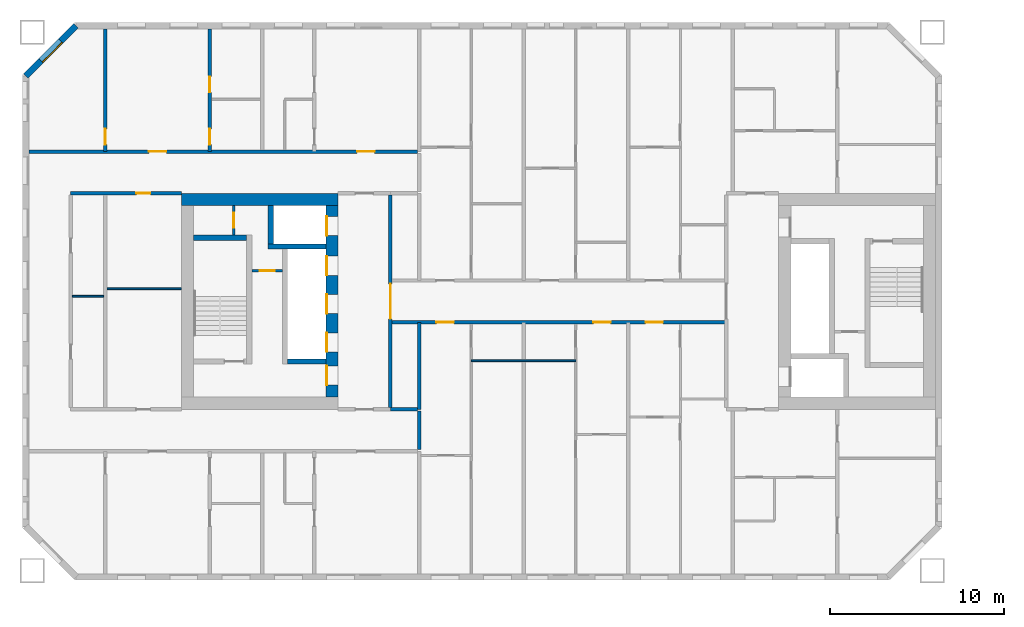
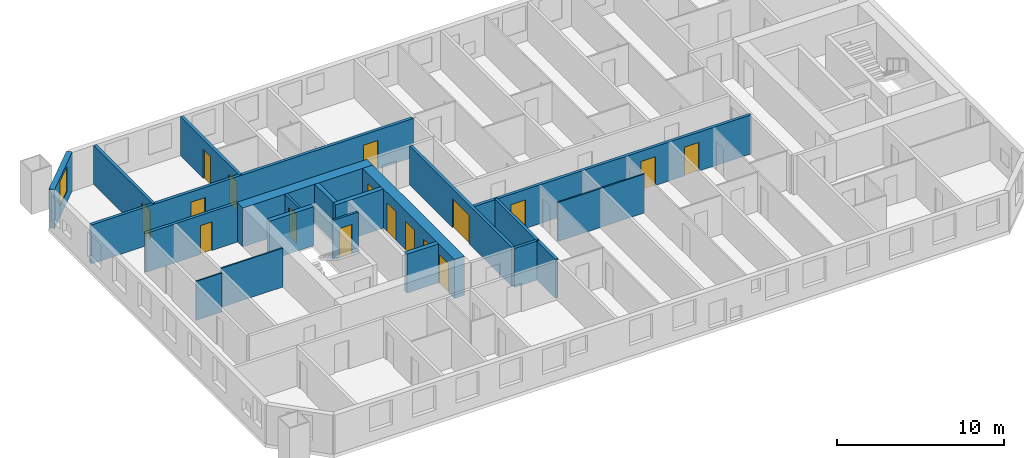
# One storey, part 4 of 17: 21 walls, 17 doors, 1 window, 18 openings.
"""IFC4 building model written with IfcOpenShell, lengths in metres."""

from ifc_helpers import new_model, si_unit, direction, frame, frame_2d, origin, place, context, subcontext, project, spatial, rectangle, extrude, material, layer, layer_set, type_object, element, fill, save


model = new_model("IFC4")

# Units and contexts
model_context = context("Model", 3, precision=1e-05, world=origin(), true_north=direction((0.0, 1.0)))
body_context = subcontext(model_context, "Body", "Model", "MODEL_VIEW")
ifc_project = project(units=[si_unit("LENGTHUNIT", "METRE"), si_unit("AREAUNIT", "SQUARE_METRE"), si_unit("VOLUMEUNIT", "CUBIC_METRE"), si_unit("PLANEANGLEUNIT", "RADIAN"), si_unit("MASSUNIT", "GRAM", prefix="KILO")], contexts=[model_context])

# Site, building, storey
site_placement = place(None, origin())
site = spatial("IfcSite", under=ifc_project, at=site_placement, CompositionType="ELEMENT")
building_placement = place(site_placement, origin())
building = spatial("IfcBuilding", under=site, at=building_placement, Name="Tuart Gate Housing", CompositionType="ELEMENT")
storey_placement = place(building_placement, frame((0.0, 0.0, 84.0)))
storey = spatial("IfcBuildingStorey", under=building, at=storey_placement, Name="L23", CompositionType="ELEMENT", Elevation=84.0)

# Wall, opening, window
ifc_material_1 = material(Name="Brick", Category="masonry")
ifc_layer_1 = layer(ifc_material_1, 0.360107421875)
ifc_layer_set_1 = layer_set([ifc_layer_1], Name="Brick pier and spandrel wall 360")
wall_type_1 = type_object("IfcWallType", Name="Brick pier and spandrel wall 360", PredefinedType="STANDARD", material=ifc_layer_set_1)
wall_1_placement = place(storey_placement, frame((26.32470703125, 85.820068359375, 0.0), z_axis=(0.0, 0.0, 1.0), x_axis=(-0.707106781187, -0.707106781187, 0.0)))
wall_1 = element("IfcWall", 1, at=wall_1_placement, inside=storey, type_object=wall_type_1, Name="External wall A-NW L23", PredefinedType="STANDARD", context=body_context, shape_type="SweptSolid", body=[
    extrude(rectangle(XDim=4.09375, YDim=0.360107421875, at=frame_2d((2.046875, 0.0))), origin(), (0.0, 0.0, 1.0), 2.85009765625),
])
opening_1_placement = place(wall_1_placement, frame((1.2470703125, 0.0, 0.800048828125)))
opening_1 = element("IfcOpeningElement", 2, at=opening_1_placement, cuts=wall_1, Name="Opening W1", PredefinedType="OPENING", context=body_context, shape_type="SweptSolid", body=[
    extrude(rectangle(XDim=1.60009765625, YDim=1.800048828125, at=frame_2d((0.800048828125, 0.89990234375))), frame((0.0, 0.18994140625, 0.0), z_axis=(0.0, -1.0, 0.0), x_axis=(1.0, 0.0, 0.0)), (0.0, 0.0, 1.0), 0.380126953125),
])
ifc_material_2 = material(Name="Aluminium frame with clear glass", Category="aluminium")
window_type = type_object("IfcWindowType", Name="Punched window 1600 x 1800", PartitioningType="SINGLE_PANEL", PredefinedType="WINDOW", material=ifc_material_2)
window_placement = place(opening_1_placement, origin())
window = element("IfcWindow", 3, at=window_placement, inside=storey, type_object=window_type, Name="Window W1", OverallHeight=1.800048828125, OverallWidth=1.60009765625, PartitioningType="SINGLE_PANEL", PredefinedType="WINDOW", context=body_context, shape_type="SweptSolid", body=[
    extrude(rectangle(XDim=1.60009765625, YDim=1.800048828125, at=frame_2d((0.800048828125, 0.89990234375))), frame((0.0, 0.150146484375, 0.0), z_axis=(0.0, -1.0, 0.0), x_axis=(1.0, 0.0, 0.0)), (0.0, 0.0, 1.0), 0.06005859375),
])
fill(opening_1, window)

# Wall, opening, door
ifc_material_3 = material(Name="Plasterboard partition")
ifc_layer_2 = layer(ifc_material_3, 0.14990234375)
ifc_layer_set_2 = layer_set([ifc_layer_2], Name="Core partition 150")
wall_type_2 = type_object("IfcWallType", Name="Core partition 150", PredefinedType="PARTITIONING", material=ifc_layer_set_2)
wall_2_placement = place(storey_placement, frame((38.159912109375, 71.75, 0.0), z_axis=(0.0, 0.0, 1.0), x_axis=(-1.0, 0.0, 0.0)))
wall_2 = element("IfcWall", 4, at=wall_2_placement, inside=storey, type_object=wall_type_2, Name="Core partition AK.3", PredefinedType="PARTITIONING", context=body_context, shape_type="SweptSolid", body=[
    extrude(rectangle(XDim=1.75, YDim=0.14990234375, at=frame_2d((0.875, 0.0))), origin(), (0.0, 0.0, 1.0), 2.85009765625),
])
opening_2_placement = place(wall_2_placement, frame((0.449951171875, 0.0, 0.0)))
opening_2 = element("IfcOpeningElement", 5, at=opening_2_placement, cuts=wall_2, Name="Opening D975", PredefinedType="OPENING", context=body_context, shape_type="SweptSolid", body=[
    extrude(rectangle(XDim=0.85009765625, YDim=2.10009765625, at=frame_2d((0.425048828125, 1.050048828125))), frame((0.0, 0.0849609375, 0.0), z_axis=(0.0, -1.0, 0.0), x_axis=(1.0, 0.0, 0.0)), (0.0, 0.0, 1.0), 0.169921875),
])
ifc_material_4 = material(Name="Steel fire door", Category="steel")
door_type_1 = type_object("IfcDoorType", Name="Riser door 850 x 2100 RH", OperationType="SINGLE_SWING_RIGHT", PredefinedType="DOOR", material=ifc_material_4)
door_1_placement = place(opening_2_placement, frame((0.85009765625, 0.0, 0.0), z_axis=(0.0, 0.0, 1.0), x_axis=(-1.0, 0.0, 0.0)))
door_1 = element("IfcDoor", 6, at=door_1_placement, inside=storey, type_object=door_type_1, Name="Service room door AK.E1", OperationType="SINGLE_SWING_RIGHT", OverallHeight=2.10009765625, OverallWidth=0.85009765625, PredefinedType="DOOR", context=body_context, shape_type="SweptSolid", body=[
    extrude(rectangle(XDim=0.85009765625, YDim=2.10009765625, at=frame_2d((0.425048828125, 1.050048828125))), frame((0.0, 0.025146484375, 0.0), z_axis=(0.0, -1.0, 0.0), x_axis=(1.0, 0.0, 0.0)), (0.0, 0.0, 1.0), 0.050048828125),
])
fill(opening_2, door_1)

wall_3_placement = place(storey_placement, frame((35.360107421875, 75.5, 0.0), z_axis=(0.0, 0.0, 1.0), x_axis=(0.0, -1.0, 0.0)))
wall_3 = element("IfcWall", 7, at=wall_3_placement, inside=storey, type_object=wall_type_2, Name="Core partition AK.9", PredefinedType="PARTITIONING", context=body_context, shape_type="SweptSolid", body=[
    extrude(rectangle(XDim=1.699951171875, YDim=0.14990234375, at=frame_2d((0.85009765625, 0.0))), origin(), (0.0, 0.0, 1.0), 2.85009765625),
])
opening_3_placement = place(wall_3_placement, frame((0.425048828125, 0.0, 0.0)))
opening_3 = element("IfcOpeningElement", 8, at=opening_3_placement, cuts=wall_3, Name="Opening D973", PredefinedType="OPENING", context=body_context, shape_type="SweptSolid", body=[
    extrude(rectangle(XDim=0.85009765625, YDim=2.10009765625, at=frame_2d((0.425048828125, 1.050048828125))), frame((0.0, 0.0849609375, 0.0), z_axis=(0.0, -1.0, 0.0), x_axis=(1.0, 0.0, 0.0)), (0.0, 0.0, 1.0), 0.169921875),
])
ifc_material_5 = material(Name="Steel fire door", Category="steel")
door_type_2 = type_object("IfcDoorType", Name="Service door 850 x 2100", OperationType="SINGLE_SWING_LEFT", PredefinedType="DOOR", material=ifc_material_5)
door_2_placement = place(opening_3_placement, origin())
door_2 = element("IfcDoor", 9, at=door_2_placement, inside=storey, type_object=door_type_2, Name="Service room door AK.E2", OperationType="SINGLE_SWING_LEFT", OverallHeight=2.10009765625, OverallWidth=0.85009765625, PredefinedType="DOOR", context=body_context, shape_type="SweptSolid", body=[
    extrude(rectangle(XDim=0.85009765625, YDim=2.10009765625, at=frame_2d((0.425048828125, 1.050048828125))), frame((0.0, 0.02490234375, 0.0), z_axis=(0.0, -1.0, 0.0), x_axis=(1.0, 0.0, 0.0)), (0.0, 0.0, 1.0), 0.050048828125),
])
fill(opening_3, door_2)

# Walls
ifc_material_6 = material(Name="Concrete C50", Category="concrete")
ifc_layer_3 = layer(ifc_material_6, 0.300048828125)
ifc_layer_set_3 = layer_set([ifc_layer_3], Name="Core wall 300 C50")
wall_type_3 = type_object("IfcWallType", Name="Core wall 300 C50", PredefinedType="SHEAR", material=ifc_layer_set_3)
wall_4_placement = place(storey_placement, frame((36.110107421875, 73.64990234375, 0.0), z_axis=(0.0, 0.0, 1.0), x_axis=(-1.0, 0.0, 0.0)))
element("IfcWall", 10, at=wall_4_placement, inside=storey, type_object=wall_type_3, Name="Core wall AK.1", PredefinedType="SHEAR", context=body_context, shape_type="SweptSolid", body=[
    extrude(rectangle(XDim=3.050048828125, YDim=0.300048828125, at=frame_2d((1.52490234375, 0.0))), origin(), (0.0, 0.0, 1.0), 2.85009765625),
])
wall_5_placement = place(storey_placement, frame((40.659912109375, 73.14990234375, 0.0), z_axis=(0.0, 0.0, 1.0), x_axis=(-1.0, 0.0, 0.0)))
element("IfcWall", 11, at=wall_5_placement, inside=storey, type_object=wall_type_3, Name="Core wall AK.2", PredefinedType="SHEAR", context=body_context, shape_type="SweptSolid", body=[
    extrude(rectangle(XDim=3.31982421875, YDim=0.300048828125, at=frame_2d((1.659912109375, 0.0))), origin(), (0.0, 0.0, 1.0), 2.85009765625),
])
for number, where, z_axis, x_axis, name in (
    (12, (40.659912109375, 66.550048828125, 0.0), (0.0, 0.0, 1.0), (-1.0, 0.0, 0.0), "Core wall AK.4"),
    (13, (37.489990234375, 75.5, 0.0), (0.0, 0.0, 1.0), (0.0, -1.0, 0.0), "Core wall AK.7"),
):
    element("IfcWall", number, at=place(storey_placement, frame(where, z_axis=z_axis, x_axis=x_axis)), inside=storey, type_object=wall_type_3, Name=name, PredefinedType="SHEAR", context=body_context, shape_type="SweptSolid", body=[
        extrude(rectangle(XDim=2.199951171875, YDim=0.300048828125, at=frame_2d((1.10009765625, 0.0))), origin(), (0.0, 0.0, 1.0), 2.85009765625),
    ])

# Wall, openings, doors
ifc_material_7 = material(Name="Concrete C50", Category="concrete")
ifc_layer_4 = layer(ifc_material_7, 0.699951171875)
ifc_layer_set_4 = layer_set([ifc_layer_4], Name="Core wall 700 C50")
wall_type_4 = type_object("IfcWallType", Name="Core wall 700 C50", PredefinedType="SHEAR", material=ifc_layer_set_4)
wall_6_placement = place(storey_placement, frame((41.010009765625, 75.5, 0.0), z_axis=(0.0, 0.0, 1.0), x_axis=(0.0, -1.0, 0.0)))
wall_6 = element("IfcWall", 14, at=wall_6_placement, inside=storey, type_object=wall_type_4, Name="Core wall AK front", PredefinedType="SHEAR", context=body_context, shape_type="SweptSolid", body=[
    extrude(rectangle(XDim=11.0, YDim=0.699951171875, at=frame_2d((5.5, 0.0))), origin(), (0.0, 0.0, 1.0), 2.85009765625),
])
opening_4_placement = place(wall_6_placement, frame((0.625, 0.0, 0.0)))
opening_4 = element("IfcOpeningElement", 15, at=opening_4_placement, cuts=wall_6, Name="Opening LD-FA2", PredefinedType="OPENING", context=body_context, shape_type="SweptSolid", body=[
    extrude(rectangle(XDim=1.10009765625, YDim=2.10009765625, at=frame_2d((0.550048828125, 1.050048828125))), frame((0.0, 0.35986328125, 0.0), z_axis=(0.0, -1.0, 0.0), x_axis=(1.0, 0.0, 0.0)), (0.0, 0.0, 1.0), 0.719970703125),
])
opening_5_placement = place(wall_6_placement, frame((2.89990234375, 0.0, 0.0)))
opening_5 = element("IfcOpeningElement", 16, at=opening_5_placement, cuts=wall_6, Name="Opening LD-LA4", PredefinedType="OPENING", context=body_context, shape_type="SweptSolid", body=[
    extrude(rectangle(XDim=1.10009765625, YDim=2.10009765625, at=frame_2d((0.550048828125, 1.050048828125))), frame((0.0, 0.35986328125, 0.0), z_axis=(0.0, -1.0, 0.0), x_axis=(1.0, 0.0, 0.0)), (0.0, 0.0, 1.0), 0.719970703125),
])
opening_6_placement = place(wall_6_placement, frame((5.10009765625, 0.0, 0.0)))
opening_6 = element("IfcOpeningElement", 17, at=opening_6_placement, cuts=wall_6, Name="Opening LD-LA5", PredefinedType="OPENING", context=body_context, shape_type="SweptSolid", body=[
    extrude(rectangle(XDim=1.10009765625, YDim=2.10009765625, at=frame_2d((0.550048828125, 1.050048828125))), frame((0.0, 0.35986328125, 0.0), z_axis=(0.0, -1.0, 0.0), x_axis=(1.0, 0.0, 0.0)), (0.0, 0.0, 1.0), 0.719970703125),
])
opening_7_placement = place(wall_6_placement, frame((7.300048828125, 0.0, 0.0)))
opening_7 = element("IfcOpeningElement", 18, at=opening_7_placement, cuts=wall_6, Name="Opening LD-LA6", PredefinedType="OPENING", context=body_context, shape_type="SweptSolid", body=[
    extrude(rectangle(XDim=1.10009765625, YDim=2.10009765625, at=frame_2d((0.550048828125, 1.050048828125))), frame((0.0, 0.35986328125, 0.0), z_axis=(0.0, -1.0, 0.0), x_axis=(1.0, 0.0, 0.0)), (0.0, 0.0, 1.0), 0.719970703125),
])
opening_8_placement = place(wall_6_placement, frame((9.199951171875, 0.0, 0.0)))
opening_8 = element("IfcOpeningElement", 19, at=opening_8_placement, cuts=wall_6, Name="Opening D981", PredefinedType="OPENING", context=body_context, shape_type="SweptSolid", body=[
    extrude(rectangle(XDim=1.10009765625, YDim=2.10009765625, at=frame_2d((0.550048828125, 1.050048828125))), frame((0.0, 0.35986328125, 0.0), z_axis=(0.0, -1.0, 0.0), x_axis=(1.0, 0.0, 0.0)), (0.0, 0.0, 1.0), 0.719970703125),
])
ifc_material_8 = material(Name="Stainless steel", Category="steel")
door_type_3 = type_object("IfcDoorType", Name="Landing door 1100 x 2100", OperationType="DOUBLE_DOOR_SLIDING", PredefinedType="DOOR", material=ifc_material_8)
door_3_placement = place(opening_4_placement, origin())
door_3 = element("IfcDoor", 20, at=door_3_placement, inside=storey, type_object=door_type_3, Name="Lift landing door FA2", OperationType="DOUBLE_DOOR_SLIDING", OverallHeight=2.10009765625, OverallWidth=1.10009765625, PredefinedType="DOOR", context=body_context, shape_type="SweptSolid", body=[
    extrude(rectangle(XDim=1.10009765625, YDim=2.10009765625, at=frame_2d((0.550048828125, 1.050048828125))), frame((0.0, -0.28515625, 0.0), z_axis=(0.0, -1.0, 0.0), x_axis=(1.0, 0.0, 0.0)), (0.0, 0.0, 1.0), 0.050048828125),
])
fill(opening_4, door_3)
door_4_placement = place(opening_5_placement, origin())
door_4 = element("IfcDoor", 21, at=door_4_placement, inside=storey, type_object=door_type_3, Name="Lift landing door LA4", OperationType="DOUBLE_DOOR_SLIDING", OverallHeight=2.10009765625, OverallWidth=1.10009765625, PredefinedType="DOOR", context=body_context, shape_type="SweptSolid", body=[
    extrude(rectangle(XDim=1.10009765625, YDim=2.10009765625, at=frame_2d((0.550048828125, 1.050048828125))), frame((0.0, -0.28515625, 0.0), z_axis=(0.0, -1.0, 0.0), x_axis=(1.0, 0.0, 0.0)), (0.0, 0.0, 1.0), 0.050048828125),
])
fill(opening_5, door_4)
door_5_placement = place(opening_6_placement, origin())
door_5 = element("IfcDoor", 22, at=door_5_placement, inside=storey, type_object=door_type_3, Name="Lift landing door LA5", OperationType="DOUBLE_DOOR_SLIDING", OverallHeight=2.10009765625, OverallWidth=1.10009765625, PredefinedType="DOOR", context=body_context, shape_type="SweptSolid", body=[
    extrude(rectangle(XDim=1.10009765625, YDim=2.10009765625, at=frame_2d((0.550048828125, 1.050048828125))), frame((0.0, -0.28515625, 0.0), z_axis=(0.0, -1.0, 0.0), x_axis=(1.0, 0.0, 0.0)), (0.0, 0.0, 1.0), 0.050048828125),
])
fill(opening_6, door_5)
door_6_placement = place(opening_7_placement, origin())
door_6 = element("IfcDoor", 23, at=door_6_placement, inside=storey, type_object=door_type_3, Name="Lift landing door LA6", OperationType="DOUBLE_DOOR_SLIDING", OverallHeight=2.10009765625, OverallWidth=1.10009765625, PredefinedType="DOOR", context=body_context, shape_type="SweptSolid", body=[
    extrude(rectangle(XDim=1.10009765625, YDim=2.10009765625, at=frame_2d((0.550048828125, 1.050048828125))), frame((0.0, -0.28515625, 0.0), z_axis=(0.0, -1.0, 0.0), x_axis=(1.0, 0.0, 0.0)), (0.0, 0.0, 1.0), 0.050048828125),
])
fill(opening_7, door_6)
ifc_material_9 = material(Name="Steel fire door", Category="steel")
door_type_4 = type_object("IfcDoorType", Name="Lobby door 1100 x 2100 RH", OperationType="SINGLE_SWING_RIGHT", PredefinedType="DOOR", material=ifc_material_9)
door_7_placement = place(opening_8_placement, frame((1.10009765625, 0.0, 0.0), z_axis=(0.0, 0.0, 1.0), x_axis=(-1.0, 0.0, 0.0)))
door_7 = element("IfcDoor", 24, at=door_7_placement, inside=storey, type_object=door_type_4, Name="Lobby entry door AK.EN", OperationType="SINGLE_SWING_RIGHT", OverallHeight=2.10009765625, OverallWidth=1.10009765625, PredefinedType="DOOR", context=body_context, shape_type="SweptSolid", body=[
    extrude(rectangle(XDim=1.10009765625, YDim=2.10009765625, at=frame_2d((0.550048828125, 1.050048828125))), frame((0.0, 0.335205078125, 0.0), z_axis=(0.0, -1.0, 0.0), x_axis=(1.0, 0.0, 0.0)), (0.0, 0.0, 1.0), 0.050048828125),
])
fill(opening_8, door_7)

# Walls
wall_7_placement = place(storey_placement, frame((41.360107421875, 75.85009765625, 0.0), z_axis=(0.0, 0.0, 1.0), x_axis=(-1.0, 0.0, 0.0)))
element("IfcWall", 25, at=wall_7_placement, inside=storey, type_object=wall_type_4, Name="Core wall AK south", PredefinedType="SHEAR", context=body_context, shape_type="SweptSolid", body=[
    extrude(rectangle(XDim=9.0, YDim=0.699951171875, at=frame_2d((4.5, 0.0))), origin(), (0.0, 0.0, 1.0), 2.85009765625),
])
ifc_material_10 = material(Name="Concrete masonry 15 MPa", Category="masonry")
ifc_layer_5 = layer(ifc_material_10, 0.199951171875)
ifc_layer_set_5 = layer_set([ifc_layer_5], Name="Corridor wall masonry 200")
wall_type_5 = type_object("IfcWallType", Name="Corridor wall masonry 200", PredefinedType="PARTITIONING", material=ifc_layer_set_5)
wall_8_placement = place(storey_placement, frame((44.360107421875, 63.800048828125, 0.0), z_axis=(0.0, 0.0, 1.0), x_axis=(1.0, 0.0, 0.0)))
element("IfcWall", 26, at=wall_8_placement, inside=storey, type_object=wall_type_5, Name="Corridor wall masonry 200", PredefinedType="PARTITIONING", context=body_context, shape_type="SweptSolid", body=[
    extrude(rectangle(XDim=1.539794921875, YDim=0.199951171875, at=frame_2d((0.77001953125, 0.0))), origin(), (0.0, 0.0, 1.0), 2.85009765625),
])

# Wall, openings, doors
wall_9_placement = place(storey_placement, frame((44.360107421875, 68.800048828125, 0.0), z_axis=(0.0, 0.0, 1.0), x_axis=(1.0, 0.0, 0.0)))
wall_9 = element("IfcWall", 27, at=wall_9_placement, inside=storey, type_object=wall_type_5, Name="Corridor wall masonry 200", PredefinedType="PARTITIONING", context=body_context, shape_type="SweptSolid", body=[
    extrude(rectangle(XDim=19.27978515625, YDim=0.199951171875, at=frame_2d((9.639892578125, 0.0))), origin(), (0.0, 0.0, 1.0), 2.85009765625),
])
opening_9_placement = place(wall_9_placement, frame((14.639892578125, 0.0, 0.0)))
opening_9 = element("IfcOpeningElement", 28, at=opening_9_placement, cuts=wall_9, Name="Opening D985", PredefinedType="OPENING", context=body_context, shape_type="SweptSolid", body=[
    extrude(rectangle(XDim=1.0, YDim=2.10009765625, at=frame_2d((0.5, 1.050048828125))), frame((0.0, 0.10986328125, 0.0), z_axis=(0.0, -1.0, 0.0), x_axis=(1.0, 0.0, 0.0)), (0.0, 0.0, 1.0), 0.219970703125),
])
opening_10_placement = place(wall_9_placement, frame((11.639892578125, 0.0, 0.0)))
opening_10 = element("IfcOpeningElement", 29, at=opening_10_placement, cuts=wall_9, Name="Opening D986", PredefinedType="OPENING", context=body_context, shape_type="SweptSolid", body=[
    extrude(rectangle(XDim=1.0, YDim=2.10009765625, at=frame_2d((0.5, 1.050048828125))), frame((0.0, 0.10986328125, 0.0), z_axis=(0.0, -1.0, 0.0), x_axis=(1.0, 0.0, 0.0)), (0.0, 0.0, 1.0), 0.219970703125),
])
opening_11_placement = place(wall_9_placement, frame((2.639892578125, 0.0, 0.0)))
opening_11 = element("IfcOpeningElement", 30, at=opening_11_placement, cuts=wall_9, Name="Opening D987", PredefinedType="OPENING", context=body_context, shape_type="SweptSolid", body=[
    extrude(rectangle(XDim=1.0, YDim=2.10009765625, at=frame_2d((0.5, 1.050048828125))), frame((0.0, 0.10986328125, 0.0), z_axis=(0.0, -1.0, 0.0), x_axis=(1.0, 0.0, 0.0)), (0.0, 0.0, 1.0), 0.219970703125),
])
ifc_material_11 = material(Name="Timber door leaf in steel frame", Category="steel")
door_type_5 = type_object("IfcDoorType", Name="Flat entrance door 1000 RH", OperationType="SINGLE_SWING_RIGHT", PredefinedType="DOOR", material=ifc_material_11)
door_8_placement = place(opening_9_placement, frame((1.0, 0.0, 0.0), z_axis=(0.0, 0.0, 1.0), x_axis=(-1.0, 0.0, 0.0)))
door_8 = element("IfcDoor", 31, at=door_8_placement, inside=storey, type_object=door_type_5, Name="Flat entrance door", OperationType="SINGLE_SWING_RIGHT", OverallHeight=2.10009765625, OverallWidth=1.0, PredefinedType="DOOR", context=body_context, shape_type="SweptSolid", body=[
    extrude(rectangle(XDim=1.0, YDim=2.10009765625, at=frame_2d((0.5, 1.050048828125))), frame((0.0, 0.025146484375, 0.0), z_axis=(0.0, -1.0, 0.0), x_axis=(1.0, 0.0, 0.0)), (0.0, 0.0, 1.0), 0.050048828125),
])
fill(opening_9, door_8)
door_9_placement = place(opening_10_placement, frame((1.0, 0.0, 0.0), z_axis=(0.0, 0.0, 1.0), x_axis=(-1.0, 0.0, 0.0)))
door_9 = element("IfcDoor", 32, at=door_9_placement, inside=storey, type_object=door_type_5, Name="Flat entrance door", OperationType="SINGLE_SWING_RIGHT", OverallHeight=2.10009765625, OverallWidth=1.0, PredefinedType="DOOR", context=body_context, shape_type="SweptSolid", body=[
    extrude(rectangle(XDim=1.0, YDim=2.10009765625, at=frame_2d((0.5, 1.050048828125))), frame((0.0, 0.025146484375, 0.0), z_axis=(0.0, -1.0, 0.0), x_axis=(1.0, 0.0, 0.0)), (0.0, 0.0, 1.0), 0.050048828125),
])
fill(opening_10, door_9)
door_10_placement = place(opening_11_placement, frame((1.0, 0.0, 0.0), z_axis=(0.0, 0.0, 1.0), x_axis=(-1.0, 0.0, 0.0)))
door_10 = element("IfcDoor", 33, at=door_10_placement, inside=storey, type_object=door_type_5, Name="Flat entrance door", OperationType="SINGLE_SWING_RIGHT", OverallHeight=2.10009765625, OverallWidth=1.0, PredefinedType="DOOR", context=body_context, shape_type="SweptSolid", body=[
    extrude(rectangle(XDim=1.0, YDim=2.10009765625, at=frame_2d((0.5, 1.050048828125))), frame((0.0, 0.025146484375, 0.0), z_axis=(0.0, -1.0, 0.0), x_axis=(1.0, 0.0, 0.0)), (0.0, 0.0, 1.0), 0.050048828125),
])
fill(opening_11, door_10)

# Wall, opening, door
wall_10_placement = place(storey_placement, frame((26.010009765625, 76.199951171875, 0.0), z_axis=(0.0, 0.0, 1.0), x_axis=(1.0, 0.0, 0.0)))
wall_10 = element("IfcWall", 34, at=wall_10_placement, inside=storey, type_object=wall_type_5, Name="Corridor wall masonry 200", PredefinedType="PARTITIONING", context=body_context, shape_type="SweptSolid", body=[
    extrude(rectangle(XDim=6.35009765625, YDim=0.199951171875, at=frame_2d((3.175048828125, 0.0))), origin(), (0.0, 0.0, 1.0), 2.85009765625),
])
opening_12_placement = place(wall_10_placement, frame((3.77001953125, 0.0, 0.0)))
opening_12 = element("IfcOpeningElement", 35, at=opening_12_placement, cuts=wall_10, Name="Opening D970", PredefinedType="OPENING", context=body_context, shape_type="SweptSolid", body=[
    extrude(rectangle(XDim=0.800048828125, YDim=2.10009765625, at=frame_2d((0.39990234375, 1.050048828125))), frame((0.0, 0.10986328125, 0.0), z_axis=(0.0, -1.0, 0.0), x_axis=(1.0, 0.0, 0.0)), (0.0, 0.0, 1.0), 0.219970703125),
])
ifc_material_12 = material(Name="Timber door leaf in steel frame", Category="steel")
door_type_6 = type_object("IfcDoorType", Name="Store door 800 RH", OperationType="SINGLE_SWING_RIGHT", PredefinedType="DOOR", material=ifc_material_12)
door_11_placement = place(opening_12_placement, frame((0.800048828125, 0.0, 0.0), z_axis=(0.0, 0.0, 1.0), x_axis=(-1.0, 0.0, 0.0)))
door_11 = element("IfcDoor", 36, at=door_11_placement, inside=storey, type_object=door_type_6, Name="Store door", OperationType="SINGLE_SWING_RIGHT", OverallHeight=2.10009765625, OverallWidth=0.800048828125, PredefinedType="DOOR", context=body_context, shape_type="SweptSolid", body=[
    extrude(rectangle(XDim=0.800048828125, YDim=2.10009765625, at=frame_2d((0.400146484375, 1.050048828125))), frame((0.0, 0.025146484375, 0.0), z_axis=(0.0, -1.0, 0.0), x_axis=(1.0, 0.0, 0.0)), (0.0, 0.0, 1.0), 0.050048828125),
])
fill(opening_12, door_11)

# Wall, openings, doors
wall_11_placement = place(storey_placement, frame((23.610107421875, 78.60009765625, 0.0), z_axis=(0.0, 0.0, 1.0), x_axis=(1.0, 0.0, 0.0)))
wall_11 = element("IfcWall", 37, at=wall_11_placement, inside=storey, type_object=wall_type_5, Name="Corridor wall masonry 200", PredefinedType="PARTITIONING", context=body_context, shape_type="SweptSolid", body=[
    extrude(rectangle(XDim=22.289794921875, YDim=0.199951171875, at=frame_2d((11.14501953125, 0.0))), origin(), (0.0, 0.0, 1.0), 2.85009765625),
])
opening_13_placement = place(wall_11_placement, frame((18.840087890625, 0.0, 0.0)))
opening_13 = element("IfcOpeningElement", 38, at=opening_13_placement, cuts=wall_11, Name="Opening D961", PredefinedType="OPENING", context=body_context, shape_type="SweptSolid", body=[
    extrude(rectangle(XDim=1.0, YDim=2.10009765625, at=frame_2d((0.5, 1.050048828125))), frame((0.0, 0.10986328125, 0.0), z_axis=(0.0, -1.0, 0.0), x_axis=(1.0, 0.0, 0.0)), (0.0, 0.0, 1.0), 0.219970703125),
])
opening_14_placement = place(wall_11_placement, frame((6.889892578125, 0.0, 0.0)))
opening_14 = element("IfcOpeningElement", 39, at=opening_14_placement, cuts=wall_11, Name="Opening D962", PredefinedType="OPENING", context=body_context, shape_type="SweptSolid", body=[
    extrude(rectangle(XDim=1.0, YDim=2.10009765625, at=frame_2d((0.5, 1.050048828125))), frame((0.0, 0.10986328125, 0.0), z_axis=(0.0, -1.0, 0.0), x_axis=(1.0, 0.0, 0.0)), (0.0, 0.0, 1.0), 0.219970703125),
])
ifc_material_13 = material(Name="Timber door leaf in steel frame", Category="steel")
door_type_7 = type_object("IfcDoorType", Name="Flat entrance door 1000", OperationType="SINGLE_SWING_LEFT", PredefinedType="DOOR", material=ifc_material_13)
door_12_placement = place(opening_13_placement, origin())
door_12 = element("IfcDoor", 40, at=door_12_placement, inside=storey, type_object=door_type_7, Name="Flat entrance door", OperationType="SINGLE_SWING_LEFT", OverallHeight=2.10009765625, OverallWidth=1.0, PredefinedType="DOOR", context=body_context, shape_type="SweptSolid", body=[
    extrude(rectangle(XDim=1.0, YDim=2.10009765625, at=frame_2d((0.5, 1.050048828125))), frame((0.0, 0.02490234375, 0.0), z_axis=(0.0, -1.0, 0.0), x_axis=(1.0, 0.0, 0.0)), (0.0, 0.0, 1.0), 0.050048828125),
])
fill(opening_13, door_12)
door_13_placement = place(opening_14_placement, origin())
door_13 = element("IfcDoor", 41, at=door_13_placement, inside=storey, type_object=door_type_7, Name="Flat entrance door", OperationType="SINGLE_SWING_LEFT", OverallHeight=2.10009765625, OverallWidth=1.0, PredefinedType="DOOR", context=body_context, shape_type="SweptSolid", body=[
    extrude(rectangle(XDim=1.0, YDim=2.10009765625, at=frame_2d((0.5, 1.050048828125))), frame((0.0, 0.02490234375, 0.0), z_axis=(0.0, -1.0, 0.0), x_axis=(1.0, 0.0, 0.0)), (0.0, 0.0, 1.0), 0.050048828125),
])
fill(opening_14, door_13)

# Wall
wall_12_placement = place(storey_placement, frame((46.0, 61.5, 0.0), z_axis=(0.0, 0.0, 1.0), x_axis=(0.0, 1.0, 0.0)))
element("IfcWall", 42, at=wall_12_placement, inside=storey, type_object=wall_type_5, Name="Corridor wall masonry 200", PredefinedType="PARTITIONING", context=body_context, shape_type="SweptSolid", body=[
    extrude(rectangle(XDim=2.199951171875, YDim=0.199951171875, at=frame_2d((1.10009765625, 0.0))), origin(), (0.0, 0.0, 1.0), 2.85009765625),
])

# Wall, opening, door
ifc_material_14 = material(Name="Plasterboard partition")
ifc_layer_6 = layer(ifc_material_14, 0.199951171875)
ifc_layer_set_6 = layer_set([ifc_layer_6], Name="Lobby wall 200")
wall_type_6 = type_object("IfcWallType", Name="Lobby wall 200", PredefinedType="PARTITIONING", material=ifc_layer_set_6)
wall_13_placement = place(storey_placement, frame((44.360107421875, 63.89990234375, 0.0), z_axis=(0.0, 0.0, 1.0), x_axis=(0.0, 1.0, 0.0)))
wall_13 = element("IfcWall", 43, at=wall_13_placement, inside=storey, type_object=wall_type_6, Name="Lift lobby wall AK", PredefinedType="PARTITIONING", context=body_context, shape_type="SweptSolid", body=[
    extrude(rectangle(XDim=12.2001953125, YDim=0.199951171875, at=frame_2d((6.10009765625, 0.0))), origin(), (0.0, 0.0, 1.0), 2.85009765625),
])
opening_15_placement = place(wall_13_placement, frame((5.10009765625, 0.0, 0.0)))
opening_15 = element("IfcOpeningElement", 44, at=opening_15_placement, cuts=wall_13, Name="Opening D982", PredefinedType="OPENING", context=body_context, shape_type="SweptSolid", body=[
    extrude(rectangle(XDim=2.0, YDim=2.10009765625, at=frame_2d((1.0, 1.050048828125))), frame((0.0, 0.10986328125, 0.0), z_axis=(0.0, -1.0, 0.0), x_axis=(1.0, 0.0, 0.0)), (0.0, 0.0, 1.0), 0.219970703125),
])
ifc_material_15 = material(Name="Steel fire door", Category="steel")
door_type_8 = type_object("IfcDoorType", Name="Smoke door 2000 x 2100", OperationType="DOUBLE_DOOR_SINGLE_SWING", PredefinedType="DOOR", material=ifc_material_15)
door_14_placement = place(opening_15_placement, origin())
door_14 = element("IfcDoor", 45, at=door_14_placement, inside=storey, type_object=door_type_8, Name="Lift lobby smoke door AK", OperationType="DOUBLE_DOOR_SINGLE_SWING", OverallHeight=2.10009765625, OverallWidth=2.0, PredefinedType="DOOR", context=body_context, shape_type="SweptSolid", body=[
    extrude(rectangle(XDim=2.0, YDim=2.10009765625, at=frame_2d((1.0, 1.050048828125))), frame((0.0, 0.02490234375, 0.0), z_axis=(0.0, -1.0, 0.0), x_axis=(1.0, 0.0, 0.0)), (0.0, 0.0, 1.0), 0.050048828125),
])
fill(opening_15, door_14)

# Walls
ifc_material_16 = material(Name="Gypsum board on steel studs", Category="steel")
ifc_layer_7 = layer(ifc_material_16, 0.10009765625)
ifc_layer_set_7 = layer_set([ifc_layer_7], Name="Partition 100")
wall_type_7 = type_object("IfcWallType", Name="Partition 100", PredefinedType="PARTITIONING", material=ifc_layer_set_7)
wall_14_placement = place(storey_placement, frame((49.0, 66.60009765625, 0.0), z_axis=(0.0, 0.0, 1.0), x_axis=(1.0, 0.0, 0.0)))
element("IfcWall", 46, at=wall_14_placement, inside=storey, type_object=wall_type_7, Name="Partition 100", PredefinedType="PARTITIONING", context=body_context, shape_type="SweptSolid", body=[
    extrude(rectangle(XDim=6.0, YDim=0.10009765625, at=frame_2d((3.0, 0.0))), origin(), (0.0, 0.0, 1.0), 2.85009765625),
])
wall_15_placement = place(storey_placement, frame((26.110107421875, 70.300048828125, 0.0), z_axis=(0.0, 0.0, 1.0), x_axis=(1.0, 0.0, 0.0)))
element("IfcWall", 47, at=wall_15_placement, inside=storey, type_object=wall_type_7, Name="Partition 100", PredefinedType="PARTITIONING", context=body_context, shape_type="SweptSolid", body=[
    extrude(rectangle(XDim=1.789794921875, YDim=0.10009765625, at=frame_2d((0.89501953125, 0.0))), origin(), (0.0, 0.0, 1.0), 2.85009765625),
])
wall_16_placement = place(storey_placement, frame((28.10009765625, 70.72998046875, 0.0), z_axis=(0.0, 0.0, 1.0), x_axis=(1.0, 0.0, 0.0)))
element("IfcWall", 48, at=wall_16_placement, inside=storey, type_object=wall_type_7, Name="Partition 100", PredefinedType="PARTITIONING", context=body_context, shape_type="SweptSolid", body=[
    extrude(rectangle(XDim=4.260009765625, YDim=0.10009765625, at=frame_2d((2.1298828125, 0.0))), origin(), (0.0, 0.0, 1.0), 2.85009765625),
])

# Wall, opening, door
ifc_material_17 = material(Name="Concrete C40", Category="concrete")
ifc_layer_8 = layer(ifc_material_17, 0.199951171875)
ifc_layer_set_8 = layer_set([ifc_layer_8], Name="Party wall concrete C40 200")
wall_type_8 = type_object("IfcWallType", Name="Party wall concrete C40 200", PredefinedType="SOLIDWALL", material=ifc_layer_set_8)
wall_17_placement = place(storey_placement, frame((28.0, 78.60009765625, 0.0), z_axis=(0.0, 0.0, 1.0), x_axis=(0.0, 1.0, 0.0)))
wall_17 = element("IfcWall", 49, at=wall_17_placement, inside=storey, type_object=wall_type_8, Name="Party wall concrete C40 200", PredefinedType="SOLIDWALL", context=body_context, shape_type="SweptSolid", body=[
    extrude(rectangle(XDim=7.039794921875, YDim=0.199951171875, at=frame_2d((3.52001953125, 0.0))), origin(), (0.0, 0.0, 1.0), 2.85009765625),
])
opening_16_placement = place(wall_17_placement, frame((0.39990234375, 0.0, 0.0)))
opening_16 = element("IfcOpeningElement", 50, at=opening_16_placement, cuts=wall_17, Name="Opening D950", PredefinedType="OPENING", context=body_context, shape_type="SweptSolid", body=[
    extrude(rectangle(XDim=0.89990234375, YDim=2.10009765625, at=frame_2d((0.449951171875, 1.050048828125))), frame((0.0, 0.10986328125, 0.0), z_axis=(0.0, -1.0, 0.0), x_axis=(1.0, 0.0, 0.0)), (0.0, 0.0, 1.0), 0.219970703125),
])
ifc_material_18 = material(Name="Timber door leaf in steel frame", Category="steel")
door_type_9 = type_object("IfcDoorType", Name="Internal door 900", OperationType="SINGLE_SWING_LEFT", PredefinedType="DOOR", material=ifc_material_18)
door_15_placement = place(opening_16_placement, origin())
door_15 = element("IfcDoor", 51, at=door_15_placement, inside=storey, type_object=door_type_9, Name="Internal door", OperationType="SINGLE_SWING_LEFT", OverallHeight=2.10009765625, OverallWidth=0.89990234375, PredefinedType="DOOR", context=body_context, shape_type="SweptSolid", body=[
    extrude(rectangle(XDim=0.89990234375, YDim=2.10009765625, at=frame_2d((0.449951171875, 1.050048828125))), frame((0.0, 0.02490234375, 0.0), z_axis=(0.0, -1.0, 0.0), x_axis=(1.0, 0.0, 0.0)), (0.0, 0.0, 1.0), 0.050048828125),
])
fill(opening_16, door_15)

# Wall, openings, doors
wall_18_placement = place(storey_placement, frame((34.0, 78.60009765625, 0.0), z_axis=(0.0, 0.0, 1.0), x_axis=(0.0, 1.0, 0.0)))
wall_18 = element("IfcWall", 52, at=wall_18_placement, inside=storey, type_object=wall_type_8, Name="Party wall concrete C40 200", PredefinedType="SOLIDWALL", context=body_context, shape_type="SweptSolid", body=[
    extrude(rectangle(XDim=7.039794921875, YDim=0.199951171875, at=frame_2d((3.52001953125, 0.0))), origin(), (0.0, 0.0, 1.0), 2.85009765625),
])
opening_17_placement = place(wall_18_placement, frame((3.39990234375, 0.0, 0.0)))
opening_17 = element("IfcOpeningElement", 53, at=opening_17_placement, cuts=wall_18, Name="Opening D952", PredefinedType="OPENING", context=body_context, shape_type="SweptSolid", body=[
    extrude(rectangle(XDim=0.89990234375, YDim=2.10009765625, at=frame_2d((0.449951171875, 1.050048828125))), frame((0.0, 0.10986328125, 0.0), z_axis=(0.0, -1.0, 0.0), x_axis=(1.0, 0.0, 0.0)), (0.0, 0.0, 1.0), 0.219970703125),
])
opening_18_placement = place(wall_18_placement, frame((0.39990234375, 0.0, 0.0)))
opening_18 = element("IfcOpeningElement", 54, at=opening_18_placement, cuts=wall_18, Name="Opening D951", PredefinedType="OPENING", context=body_context, shape_type="SweptSolid", body=[
    extrude(rectangle(XDim=0.89990234375, YDim=2.10009765625, at=frame_2d((0.449951171875, 1.050048828125))), frame((0.0, 0.10986328125, 0.0), z_axis=(0.0, -1.0, 0.0), x_axis=(1.0, 0.0, 0.0)), (0.0, 0.0, 1.0), 0.219970703125),
])
ifc_material_19 = material(Name="Timber door leaf in steel frame", Category="steel")
door_type_10 = type_object("IfcDoorType", Name="Bathroom door 900 RH", OperationType="SINGLE_SWING_RIGHT", PredefinedType="DOOR", material=ifc_material_19)
door_16_placement = place(opening_18_placement, frame((0.89990234375, 0.0, 0.0), z_axis=(0.0, 0.0, 1.0), x_axis=(-1.0, 0.0, 0.0)))
door_16 = element("IfcDoor", 55, at=door_16_placement, inside=storey, type_object=door_type_10, Name="Bathroom door", OperationType="SINGLE_SWING_RIGHT", OverallHeight=2.10009765625, OverallWidth=0.89990234375, PredefinedType="DOOR", context=body_context, shape_type="SweptSolid", body=[
    extrude(rectangle(XDim=0.89990234375, YDim=2.10009765625, at=frame_2d((0.449951171875, 1.050048828125))), frame((0.0, 0.025146484375, 0.0), z_axis=(0.0, -1.0, 0.0), x_axis=(1.0, 0.0, 0.0)), (0.0, 0.0, 1.0), 0.050048828125),
])
fill(opening_18, door_16)
ifc_material_20 = material(Name="Timber door leaf in steel frame", Category="steel")
door_type_11 = type_object("IfcDoorType", Name="Internal door 900 RH", OperationType="SINGLE_SWING_RIGHT", PredefinedType="DOOR", material=ifc_material_20)
door_17_placement = place(opening_17_placement, frame((0.89990234375, 0.0, 0.0), z_axis=(0.0, 0.0, 1.0), x_axis=(-1.0, 0.0, 0.0)))
door_17 = element("IfcDoor", 56, at=door_17_placement, inside=storey, type_object=door_type_11, Name="Internal door", OperationType="SINGLE_SWING_RIGHT", OverallHeight=2.10009765625, OverallWidth=0.89990234375, PredefinedType="DOOR", context=body_context, shape_type="SweptSolid", body=[
    extrude(rectangle(XDim=0.89990234375, YDim=2.10009765625, at=frame_2d((0.449951171875, 1.050048828125))), frame((0.0, 0.025146484375, 0.0), z_axis=(0.0, -1.0, 0.0), x_axis=(1.0, 0.0, 0.0)), (0.0, 0.0, 1.0), 0.050048828125),
])
fill(opening_17, door_17)

# Wall
wall_19_placement = place(storey_placement, frame((46.0, 63.800048828125, 0.0), z_axis=(0.0, 0.0, 1.0), x_axis=(0.0, 1.0, 0.0)))
element("IfcWall", 57, at=wall_19_placement, inside=storey, type_object=wall_type_8, Name="Party wall concrete C40 200", PredefinedType="SOLIDWALL", context=body_context, shape_type="SweptSolid", body=[
    extrude(rectangle(XDim=5.0, YDim=0.199951171875, at=frame_2d((2.5, 0.0))), origin(), (0.0, 0.0, 1.0), 2.85009765625),
])

save(model, "model.ifc")
